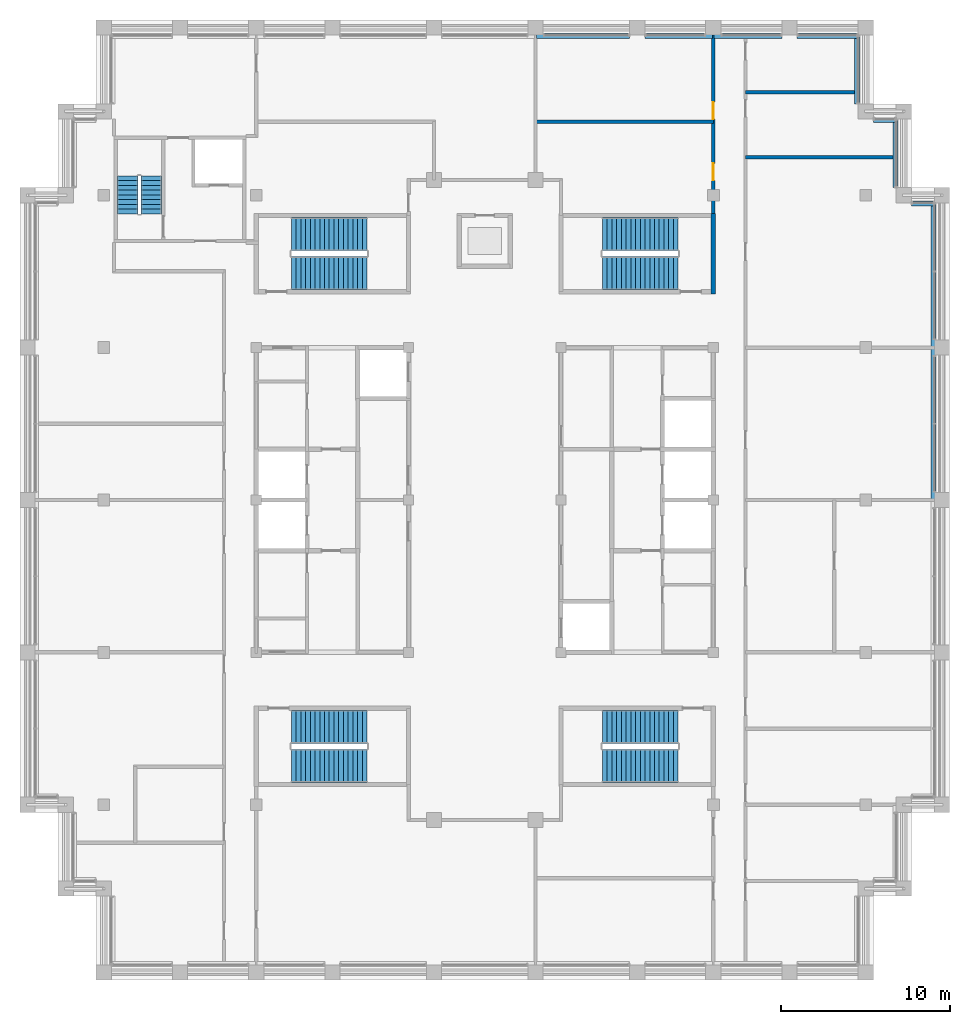
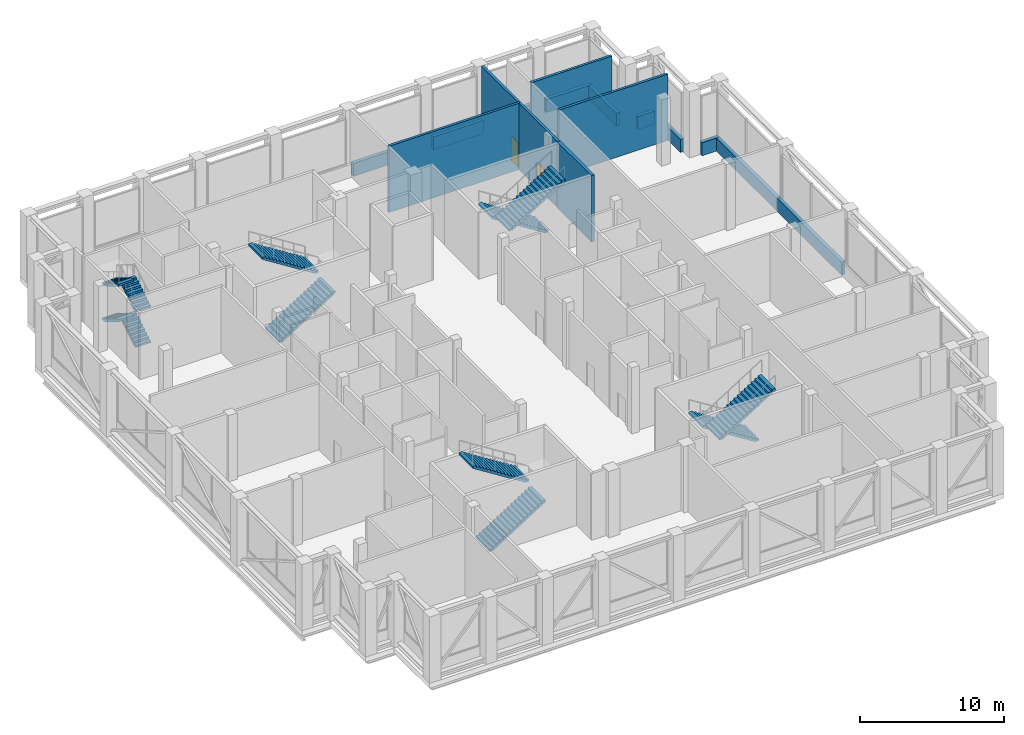
# One storey, part 15 of 17: 15 walls, 12 stair flights, 2 doors, 2 openings, 5 elements without a shape of their own.
"""IFC4 building model written with IfcOpenShell, lengths in metres."""

from ifc_helpers import new_model, si_unit, direction, frame, frame_2d, origin, place, context, subcontext, project, spatial, polyline, rectangle, outline, extrude, material, layer, layer_set, type_object, element, fill, aggregate, save


model = new_model("IFC4")

# Units and contexts
model_context = context("Model", 3, precision=1e-05, world=origin(), true_north=direction((0.0, 1.0)))
body_context = subcontext(model_context, "Body", "Model", "MODEL_VIEW")
ifc_project = project(units=[si_unit("LENGTHUNIT", "METRE"), si_unit("AREAUNIT", "SQUARE_METRE"), si_unit("VOLUMEUNIT", "CUBIC_METRE"), si_unit("PLANEANGLEUNIT", "RADIAN"), si_unit("MASSUNIT", "GRAM", prefix="KILO")], contexts=[model_context])

# Site, building, storey
site_placement = place(None, origin())
site = spatial("IfcSite", under=ifc_project, at=site_placement, CompositionType="ELEMENT")
building_placement = place(site_placement, origin())
building = spatial("IfcBuilding", under=site, at=building_placement, Name="Corbelhall Arena Tower", CompositionType="ELEMENT")
storey_placement = place(building_placement, frame((0.0, 0.0, 350.0)))
storey = spatial("IfcBuildingStorey", under=building, at=storey_placement, Name="L77", CompositionType="ELEMENT", Elevation=350.0)

# Walls
ifc_material_1 = material(Name="Precast concrete C40/50 with granite facing", Category="masonry")
ifc_layer_1 = layer(ifc_material_1, 0.300048828125)
ifc_layer_set_1 = layer_set([ifc_layer_1], Name="EV-IW1 Infill panel 300")
wall_type_1 = type_object("IfcWallType", Name="EV-IW1 Infill panel 300", PredefinedType="SOLIDWALL", material=ifc_layer_set_1)
wall_1_placement = place(storey_placement, frame((26.5, 0.050048828125, 0.0), z_axis=(0.0, 0.0, 1.0), x_axis=(0.0, 1.0, 0.0)))
element("IfcWall", 1, at=wall_1_placement, inside=storey, type_object=wall_type_1, Name="Infill panel IW1", PredefinedType="SOLIDWALL", context=body_context, shape_type="SweptSolid", body=[
    extrude(rectangle(XDim=8.89990234375, YDim=0.300048828125, at=frame_2d((4.449951171875, 0.0))), origin(), (0.0, 0.0, 1.0), 1.10009765625),
])
wall_2_placement = place(storey_placement, frame((26.5, 9.050048828125, 0.0), z_axis=(0.0, 0.0, 1.0), x_axis=(0.0, 1.0, 0.0)))
element("IfcWall", 2, at=wall_2_placement, inside=storey, type_object=wall_type_1, Name="Infill panel IW1", PredefinedType="SOLIDWALL", context=body_context, shape_type="SweptSolid", body=[
    extrude(rectangle(XDim=8.5, YDim=0.300048828125, at=frame_2d((4.25, 0.0))), origin(), (0.0, 0.0, 1.0), 1.10009765625),
])
wall_3_placement = place(storey_placement, frame((26.550048828125, 17.5, 0.0), z_axis=(0.0, 0.0, 1.0), x_axis=(-1.0, 0.0, 0.0)))
element("IfcWall", 3, at=wall_3_placement, inside=storey, type_object=wall_type_1, Name="Infill panel IW1", PredefinedType="SOLIDWALL", context=body_context, shape_type="SweptSolid", body=[
    extrude(rectangle(XDim=1.35009765625, YDim=0.300048828125, at=frame_2d((0.675048828125, 0.0))), origin(), (0.0, 0.0, 1.0), 1.10009765625),
])
wall_4_placement = place(storey_placement, frame((24.25, 18.449951171875, 0.0), z_axis=(0.0, 0.0, 1.0), x_axis=(0.0, 1.0, 0.0)))
element("IfcWall", 4, at=wall_4_placement, inside=storey, type_object=wall_type_1, Name="Infill panel IW1", PredefinedType="SOLIDWALL", context=body_context, shape_type="SweptSolid", body=[
    extrude(rectangle(XDim=4.050048828125, YDim=0.300048828125, at=frame_2d((2.02490234375, 0.0))), origin(), (0.0, 0.0, 1.0), 1.10009765625),
])
wall_5_placement = place(storey_placement, frame((24.300048828125, 22.449951171875, 0.0), z_axis=(0.0, 0.0, 1.0), x_axis=(-1.0, 0.0, 0.0)))
element("IfcWall", 5, at=wall_5_placement, inside=storey, type_object=wall_type_1, Name="Infill panel IW1", PredefinedType="SOLIDWALL", context=body_context, shape_type="SweptSolid", body=[
    extrude(rectangle(XDim=1.35009765625, YDim=0.300048828125, at=frame_2d((0.675048828125, 0.0))), origin(), (0.0, 0.0, 1.0), 1.10009765625),
])
wall_6_placement = place(storey_placement, frame((22.0, 23.39990234375, 0.0), z_axis=(0.0, 0.0, 1.0), x_axis=(0.0, 1.0, 0.0)))
element("IfcWall", 6, at=wall_6_placement, inside=storey, type_object=wall_type_1, Name="Infill panel IW1", PredefinedType="SOLIDWALL", context=body_context, shape_type="SweptSolid", body=[
    extrude(rectangle(XDim=4.050048828125, YDim=0.300048828125, at=frame_2d((2.02490234375, 0.0))), origin(), (0.0, 0.0, 1.0), 1.10009765625),
])
wall_7_placement = place(storey_placement, frame((22.050048828125, 27.39990234375, 0.0), z_axis=(0.0, 0.0, 1.0), x_axis=(-1.0, 0.0, 0.0)))
element("IfcWall", 7, at=wall_7_placement, inside=storey, type_object=wall_type_1, Name="Infill panel IW1", PredefinedType="SOLIDWALL", context=body_context, shape_type="SweptSolid", body=[
    extrude(rectangle(XDim=3.60009765625, YDim=0.300048828125, at=frame_2d((1.800048828125, 0.0))), origin(), (0.0, 0.0, 1.0), 1.10009765625),
])
for number, where, z_axis, x_axis, name in (
    (8, (17.550048828125, 27.39990234375, 0.0), (0.0, 0.0, 1.0), (-1.0, 0.0, 0.0), "Infill panel IW1"),
    (9, (13.449951171875, 27.39990234375, 0.0), (0.0, 0.0, 1.0), (-1.0, 0.0, 0.0), "Infill panel IW1"),
):
    element("IfcWall", number, at=place(storey_placement, frame(where, z_axis=z_axis, x_axis=x_axis)), inside=storey, type_object=wall_type_1, Name=name, PredefinedType="SOLIDWALL", context=body_context, shape_type="SweptSolid", body=[
        extrude(rectangle(XDim=4.0, YDim=0.300048828125, at=frame_2d((2.0, 0.0))), origin(), (0.0, 0.0, 1.0), 1.10009765625),
    ])
wall_8_placement = place(storey_placement, frame((8.550048828125, 27.39990234375, 0.0), z_axis=(0.0, 0.0, 1.0), x_axis=(-1.0, 0.0, 0.0)))
element("IfcWall", 10, at=wall_8_placement, inside=storey, type_object=wall_type_1, Name="Infill panel IW1", PredefinedType="SOLIDWALL", context=body_context, shape_type="SweptSolid", body=[
    extrude(rectangle(XDim=5.5, YDim=0.300048828125, at=frame_2d((2.75, 0.0))), origin(), (0.0, 0.0, 1.0), 1.10009765625),
])
ifc_material_2 = material(Name="Gypsum board on steel stud, acoustic", Category="steel")
ifc_layer_2 = layer(ifc_material_2, 0.199951171875)
ifc_layer_set_2 = layer_set([ifc_layer_2], Name="IN-W-DM200")
wall_type_2 = type_object("IfcWallType", Name="IN-W-DM200", PredefinedType="PARTITIONING", material=ifc_layer_set_2)
wall_9_placement = place(storey_placement, frame((3.0, 22.35009765625, 0.0), z_axis=(0.0, 0.0, 1.0), x_axis=(1.0, 0.0, 0.0)))
element("IfcWall", 11, at=wall_9_placement, inside=storey, type_object=wall_type_2, Name="Partition 023", PredefinedType="PARTITIONING", context=body_context, shape_type="SweptSolid", body=[
    extrude(rectangle(XDim=10.5, YDim=0.199951171875, at=frame_2d((5.25, 0.0))), origin(), (0.0, 0.0, 1.0), 5.599609375),
])

# Wall, openings, doors
wall_10_placement = place(storey_placement, frame((13.5, 16.675048828125, 0.0), z_axis=(0.0, 0.0, 1.0), x_axis=(0.0, 1.0, 0.0)))
wall_10 = element("IfcWall", 12, at=wall_10_placement, inside=storey, type_object=wall_type_2, Name="Partition 028", PredefinedType="PARTITIONING", context=body_context, shape_type="SweptSolid", body=[
    extrude(rectangle(XDim=10.77490234375, YDim=0.199951171875, at=frame_2d((5.387451171875, 0.0))), origin(), (0.0, 0.0, 1.0), 5.599609375),
])
opening_1_placement = place(wall_10_placement, frame((2.199951171875, 0.0, 0.0)))
opening_1 = element("IfcOpeningElement", 13, at=opening_1_placement, cuts=wall_10, Name="Opening 31021", PredefinedType="OPENING", context=body_context, shape_type="SweptSolid", body=[
    extrude(rectangle(XDim=1.0, YDim=2.10009765625, at=frame_2d((0.5, 1.050048828125))), frame((0.0, 0.10009765625, 0.0), z_axis=(0.0, -1.0, 0.0), x_axis=(1.0, 0.0, 0.0)), (0.0, 0.0, 1.0), 0.199951171875),
])
opening_2_placement = place(wall_10_placement, frame((5.824951171875, 0.0, 0.0)))
opening_2 = element("IfcOpeningElement", 14, at=opening_2_placement, cuts=wall_10, Name="Opening 31022", PredefinedType="OPENING", context=body_context, shape_type="SweptSolid", body=[
    extrude(rectangle(XDim=1.0, YDim=2.10009765625, at=frame_2d((0.5, 1.050048828125))), frame((0.0, 0.10009765625, 0.0), z_axis=(0.0, -1.0, 0.0), x_axis=(1.0, 0.0, 0.0)), (0.0, 0.0, 1.0), 0.199951171875),
])
ifc_material_3 = material(Name="Steel door set", Category="steel")
door_type = type_object("IfcDoorType", Name="IN-D-SW100", OperationType="NOTDEFINED", PredefinedType="DOOR", material=ifc_material_3)
door_1_placement = place(opening_1_placement, origin())
door_1 = element("IfcDoor", 15, at=door_1_placement, inside=storey, type_object=door_type, Name="Door 021", OperationType="SINGLE_SWING_RIGHT", OverallHeight=2.10009765625, OverallWidth=1.0, PredefinedType="DOOR", context=body_context, shape_type="SweptSolid", body=[
    extrude(rectangle(XDim=1.0, YDim=2.10009765625, at=frame_2d((0.5, 1.050048828125))), frame((0.0, 0.02490234375, 0.0), z_axis=(0.0, -1.0, 0.0), x_axis=(1.0, 0.0, 0.0)), (0.0, 0.0, 1.0), 0.050048828125),
])
fill(opening_1, door_1)
door_2_placement = place(opening_2_placement, origin())
door_2 = element("IfcDoor", 16, at=door_2_placement, inside=storey, type_object=door_type, Name="Door 022", OperationType="SINGLE_SWING_LEFT", OverallHeight=2.10009765625, OverallWidth=1.0, PredefinedType="DOOR", context=body_context, shape_type="SweptSolid", body=[
    extrude(rectangle(XDim=1.0, YDim=2.10009765625, at=frame_2d((0.5, 1.050048828125))), frame((0.0, 0.02490234375, 0.0), z_axis=(0.0, -1.0, 0.0), x_axis=(1.0, 0.0, 0.0)), (0.0, 0.0, 1.0), 0.050048828125),
])
fill(opening_2, door_2)

# Walls
wall_11_placement = place(storey_placement, frame((15.39990234375, 20.25, 0.0), z_axis=(0.0, 0.0, 1.0), x_axis=(1.0, 0.0, 0.0)))
element("IfcWall", 17, at=wall_11_placement, inside=storey, type_object=wall_type_2, Name="Partition 035", PredefinedType="PARTITIONING", context=body_context, shape_type="SweptSolid", body=[
    extrude(rectangle(XDim=8.7001953125, YDim=0.199951171875, at=frame_2d((4.35009765625, 0.0))), origin(), (0.0, 0.0, 1.0), 5.599609375),
])
wall_12_placement = place(storey_placement, frame((15.39990234375, 24.074951171875, 0.0), z_axis=(0.0, 0.0, 1.0), x_axis=(1.0, 0.0, 0.0)))
element("IfcWall", 18, at=wall_12_placement, inside=storey, type_object=wall_type_2, Name="Partition 036", PredefinedType="PARTITIONING", context=body_context, shape_type="SweptSolid", body=[
    extrude(rectangle(XDim=6.4501953125, YDim=0.199951171875, at=frame_2d((3.22509765625, 0.0))), origin(), (0.0, 0.0, 1.0), 5.599609375),
])
ifc_material_4 = material(Name="Concrete C40/50", Category="concrete")
ifc_layer_3 = layer(ifc_material_4, 0.25)
ifc_layer_set_3 = layer_set([ifc_layer_3], Name="IN-W-ST250")
wall_type_3 = type_object("IfcWallType", Name="IN-W-ST250", PredefinedType="SOLIDWALL", material=ifc_layer_set_3)
wall_13_placement = place(storey_placement, frame((13.5, 12.175048828125, 0.0), z_axis=(0.0, 0.0, 1.0), x_axis=(0.0, 1.0, 0.0)))
element("IfcWall", 19, at=wall_13_placement, inside=storey, type_object=wall_type_3, Name="Shaft wall 099", PredefinedType="SOLIDWALL", context=body_context, shape_type="SweptSolid", body=[
    extrude(rectangle(XDim=4.75, YDim=0.25, at=frame_2d((2.375, 0.0))), origin(), (0.0, 0.0, 1.0), 5.599609375),
])

# Stair, stair flights
stair_type = type_object("IfcStairType", Name="IN-ST-TOWER", PredefinedType="HALF_TURN_STAIR", material=ifc_material_4)
stair_1_placement = place(storey_placement, origin())
stair_1 = element("IfcStair", 20, at=stair_1_placement, inside=storey, type_object=stair_type, Name="L77 Exit stair ST1", PredefinedType="HALF_TURN_STAIR")
stair_flight_type = type_object("IfcStairFlightType", Name="IN-SFL-RC", PredefinedType="STRAIGHT", material=ifc_material_4)
stair_flight_1_placement = place(storey_placement, frame((-11.425048828125, 13.39990234375, 0.0), z_axis=(0.0, 0.0, 1.0), x_axis=(1.0, 0.0, 0.0)))
stair_flight_1 = element("IfcStairFlight", 21, at=stair_flight_1_placement, type_object=stair_flight_type, Name="ST1 flight 1", NumberOfRisers=17, NumberOfTreads=16, PredefinedType="STRAIGHT", RiserHeight=0.176470588, TreadLength=0.28, context=body_context, shape_type="SweptSolid", body=[
    extrude(outline(polyline([(0.0, 0.0), (0.0, 0.176513671875), (0.280029296875, 0.176513671875), (0.280029296875, 0.35302734375), (0.56005859375, 0.35302734375), (0.56005859375, 0.529296875), (0.840087890625, 0.529296875), (0.840087890625, 0.705810546875), (1.1201171875, 0.705810546875), (1.1201171875, 0.88232421875), (1.39990234375, 0.88232421875), (1.39990234375, 1.058837890625), (1.679931640625, 1.058837890625), (1.679931640625, 1.2353515625), (1.9599609375, 1.2353515625), (1.9599609375, 1.411865234375), (2.239990234375, 1.411865234375), (2.239990234375, 1.588134765625), (2.52001953125, 1.588134765625), (2.52001953125, 1.7646484375), (2.800048828125, 1.7646484375), (2.800048828125, 1.941162109375), (3.080078125, 1.941162109375), (3.080078125, 2.11767578125), (3.360107421875, 2.11767578125), (3.360107421875, 2.294189453125), (3.639892578125, 2.294189453125), (3.639892578125, 2.470703125), (3.919921875, 2.470703125), (3.919921875, 2.64697265625), (4.199951171875, 2.64697265625), (4.199951171875, 2.823486328125), (4.47998046875, 2.823486328125), (4.47998046875, 3.0), (4.47998046875, 2.646240234375), (0.28125, 0.0), (0.0, 0.0)])), frame((0.0, 0.97509765625, 0.0), z_axis=(0.0, -1.0, 0.0), x_axis=(1.0, 0.0, 0.0)), (0.0, 0.0, 1.0), 1.949951171875),
])
stair_flight_2_placement = place(storey_placement, frame((-6.945068359375, 15.699951171875, 3.0), z_axis=(0.0, 0.0, 1.0), x_axis=(-1.0, 0.0, 0.0)))
stair_flight_2 = element("IfcStairFlight", 22, at=stair_flight_2_placement, type_object=stair_flight_type, Name="ST1 flight 2", NumberOfRisers=17, NumberOfTreads=16, PredefinedType="STRAIGHT", RiserHeight=0.176470588, TreadLength=0.28, context=body_context, shape_type="SweptSolid", body=[
    extrude(outline(polyline([(0.0, 0.0), (0.0, 0.176513671875), (0.280029296875, 0.176513671875), (0.280029296875, 0.35302734375), (0.56005859375, 0.35302734375), (0.56005859375, 0.529296875), (0.840087890625, 0.529296875), (0.840087890625, 0.705810546875), (1.1201171875, 0.705810546875), (1.1201171875, 0.88232421875), (1.39990234375, 0.88232421875), (1.39990234375, 1.058837890625), (1.679931640625, 1.058837890625), (1.679931640625, 1.2353515625), (1.9599609375, 1.2353515625), (1.9599609375, 1.411865234375), (2.239990234375, 1.411865234375), (2.239990234375, 1.588134765625), (2.52001953125, 1.588134765625), (2.52001953125, 1.7646484375), (2.800048828125, 1.7646484375), (2.800048828125, 1.941162109375), (3.080078125, 1.941162109375), (3.080078125, 2.11767578125), (3.360107421875, 2.11767578125), (3.360107421875, 2.294189453125), (3.639892578125, 2.294189453125), (3.639892578125, 2.470703125), (3.919921875, 2.470703125), (3.919921875, 2.64697265625), (4.199951171875, 2.64697265625), (4.199951171875, 2.823486328125), (4.47998046875, 2.823486328125), (4.47998046875, 3.0), (4.47998046875, 2.646240234375), (0.28125, 0.0), (0.0, 0.0)])), frame((0.0, 0.97509765625, 0.0), z_axis=(0.0, -1.0, 0.0), x_axis=(1.0, 0.0, 0.0)), (0.0, 0.0, 1.0), 1.949951171875),
])
aggregate(stair_1, [stair_flight_1, stair_flight_2])

stair_2_placement = place(storey_placement, origin())
stair_2 = element("IfcStair", 23, at=stair_2_placement, inside=storey, type_object=stair_type, Name="L77 Exit stair ST2", PredefinedType="HALF_TURN_STAIR")
stair_flight_3_placement = place(storey_placement, frame((-11.425048828125, -15.699951171875, 0.0), z_axis=(0.0, 0.0, 1.0), x_axis=(1.0, 0.0, 0.0)))
stair_flight_3 = element("IfcStairFlight", 24, at=stair_flight_3_placement, type_object=stair_flight_type, Name="ST2 flight 1", NumberOfRisers=17, NumberOfTreads=16, PredefinedType="STRAIGHT", RiserHeight=0.176470588, TreadLength=0.28, context=body_context, shape_type="SweptSolid", body=[
    extrude(outline(polyline([(0.0, 0.0), (0.0, 0.176513671875), (0.280029296875, 0.176513671875), (0.280029296875, 0.35302734375), (0.56005859375, 0.35302734375), (0.56005859375, 0.529296875), (0.840087890625, 0.529296875), (0.840087890625, 0.705810546875), (1.1201171875, 0.705810546875), (1.1201171875, 0.88232421875), (1.39990234375, 0.88232421875), (1.39990234375, 1.058837890625), (1.679931640625, 1.058837890625), (1.679931640625, 1.2353515625), (1.9599609375, 1.2353515625), (1.9599609375, 1.411865234375), (2.239990234375, 1.411865234375), (2.239990234375, 1.588134765625), (2.52001953125, 1.588134765625), (2.52001953125, 1.7646484375), (2.800048828125, 1.7646484375), (2.800048828125, 1.941162109375), (3.080078125, 1.941162109375), (3.080078125, 2.11767578125), (3.360107421875, 2.11767578125), (3.360107421875, 2.294189453125), (3.639892578125, 2.294189453125), (3.639892578125, 2.470703125), (3.919921875, 2.470703125), (3.919921875, 2.64697265625), (4.199951171875, 2.64697265625), (4.199951171875, 2.823486328125), (4.47998046875, 2.823486328125), (4.47998046875, 3.0), (4.47998046875, 2.646240234375), (0.28125, 0.0), (0.0, 0.0)])), frame((0.0, 0.97509765625, 0.0), z_axis=(0.0, -1.0, 0.0), x_axis=(1.0, 0.0, 0.0)), (0.0, 0.0, 1.0), 1.949951171875),
])
stair_flight_4_placement = place(storey_placement, frame((-6.945068359375, -13.39990234375, 3.0), z_axis=(0.0, 0.0, 1.0), x_axis=(-1.0, 0.0, 0.0)))
stair_flight_4 = element("IfcStairFlight", 25, at=stair_flight_4_placement, type_object=stair_flight_type, Name="ST2 flight 2", NumberOfRisers=17, NumberOfTreads=16, PredefinedType="STRAIGHT", RiserHeight=0.176470588, TreadLength=0.28, context=body_context, shape_type="SweptSolid", body=[
    extrude(outline(polyline([(0.0, 0.0), (0.0, 0.176513671875), (0.280029296875, 0.176513671875), (0.280029296875, 0.35302734375), (0.56005859375, 0.35302734375), (0.56005859375, 0.529296875), (0.840087890625, 0.529296875), (0.840087890625, 0.705810546875), (1.1201171875, 0.705810546875), (1.1201171875, 0.88232421875), (1.39990234375, 0.88232421875), (1.39990234375, 1.058837890625), (1.679931640625, 1.058837890625), (1.679931640625, 1.2353515625), (1.9599609375, 1.2353515625), (1.9599609375, 1.411865234375), (2.239990234375, 1.411865234375), (2.239990234375, 1.588134765625), (2.52001953125, 1.588134765625), (2.52001953125, 1.7646484375), (2.800048828125, 1.7646484375), (2.800048828125, 1.941162109375), (3.080078125, 1.941162109375), (3.080078125, 2.11767578125), (3.360107421875, 2.11767578125), (3.360107421875, 2.294189453125), (3.639892578125, 2.294189453125), (3.639892578125, 2.470703125), (3.919921875, 2.470703125), (3.919921875, 2.64697265625), (4.199951171875, 2.64697265625), (4.199951171875, 2.823486328125), (4.47998046875, 2.823486328125), (4.47998046875, 3.0), (4.47998046875, 2.646240234375), (0.28125, 0.0), (0.0, 0.0)])), frame((0.0, 0.97509765625, 0.0), z_axis=(0.0, -1.0, 0.0), x_axis=(1.0, 0.0, 0.0)), (0.0, 0.0, 1.0), 1.949951171875),
])
aggregate(stair_2, [stair_flight_3, stair_flight_4])

stair_3_placement = place(storey_placement, origin())
stair_3 = element("IfcStair", 26, at=stair_3_placement, inside=storey, type_object=stair_type, Name="L77 Exit stair ST3", PredefinedType="HALF_TURN_STAIR")
stair_flight_5_placement = place(storey_placement, frame((11.425048828125, 15.699951171875, 0.0), z_axis=(0.0, 0.0, 1.0), x_axis=(-1.0, 0.0, 0.0)))
stair_flight_5 = element("IfcStairFlight", 27, at=stair_flight_5_placement, type_object=stair_flight_type, Name="ST3 flight 1", NumberOfRisers=17, NumberOfTreads=16, PredefinedType="STRAIGHT", RiserHeight=0.176470588, TreadLength=0.28, context=body_context, shape_type="SweptSolid", body=[
    extrude(outline(polyline([(0.0, 0.0), (0.0, 0.176513671875), (0.280029296875, 0.176513671875), (0.280029296875, 0.35302734375), (0.56005859375, 0.35302734375), (0.56005859375, 0.529296875), (0.840087890625, 0.529296875), (0.840087890625, 0.705810546875), (1.1201171875, 0.705810546875), (1.1201171875, 0.88232421875), (1.39990234375, 0.88232421875), (1.39990234375, 1.058837890625), (1.679931640625, 1.058837890625), (1.679931640625, 1.2353515625), (1.9599609375, 1.2353515625), (1.9599609375, 1.411865234375), (2.239990234375, 1.411865234375), (2.239990234375, 1.588134765625), (2.52001953125, 1.588134765625), (2.52001953125, 1.7646484375), (2.800048828125, 1.7646484375), (2.800048828125, 1.941162109375), (3.080078125, 1.941162109375), (3.080078125, 2.11767578125), (3.360107421875, 2.11767578125), (3.360107421875, 2.294189453125), (3.639892578125, 2.294189453125), (3.639892578125, 2.470703125), (3.919921875, 2.470703125), (3.919921875, 2.64697265625), (4.199951171875, 2.64697265625), (4.199951171875, 2.823486328125), (4.47998046875, 2.823486328125), (4.47998046875, 3.0), (4.47998046875, 2.646240234375), (0.28125, 0.0), (0.0, 0.0)])), frame((0.0, 0.97509765625, 0.0), z_axis=(0.0, -1.0, 0.0), x_axis=(1.0, 0.0, 0.0)), (0.0, 0.0, 1.0), 1.949951171875),
])
stair_flight_6_placement = place(storey_placement, frame((6.945068359375, 13.39990234375, 3.0), z_axis=(0.0, 0.0, 1.0), x_axis=(1.0, 0.0, 0.0)))
stair_flight_6 = element("IfcStairFlight", 28, at=stair_flight_6_placement, type_object=stair_flight_type, Name="ST3 flight 2", NumberOfRisers=17, NumberOfTreads=16, PredefinedType="STRAIGHT", RiserHeight=0.176470588, TreadLength=0.28, context=body_context, shape_type="SweptSolid", body=[
    extrude(outline(polyline([(0.0, 0.0), (0.0, 0.176513671875), (0.280029296875, 0.176513671875), (0.280029296875, 0.35302734375), (0.56005859375, 0.35302734375), (0.56005859375, 0.529296875), (0.840087890625, 0.529296875), (0.840087890625, 0.705810546875), (1.1201171875, 0.705810546875), (1.1201171875, 0.88232421875), (1.39990234375, 0.88232421875), (1.39990234375, 1.058837890625), (1.679931640625, 1.058837890625), (1.679931640625, 1.2353515625), (1.9599609375, 1.2353515625), (1.9599609375, 1.411865234375), (2.239990234375, 1.411865234375), (2.239990234375, 1.588134765625), (2.52001953125, 1.588134765625), (2.52001953125, 1.7646484375), (2.800048828125, 1.7646484375), (2.800048828125, 1.941162109375), (3.080078125, 1.941162109375), (3.080078125, 2.11767578125), (3.360107421875, 2.11767578125), (3.360107421875, 2.294189453125), (3.639892578125, 2.294189453125), (3.639892578125, 2.470703125), (3.919921875, 2.470703125), (3.919921875, 2.64697265625), (4.199951171875, 2.64697265625), (4.199951171875, 2.823486328125), (4.47998046875, 2.823486328125), (4.47998046875, 3.0), (4.47998046875, 2.646240234375), (0.28125, 0.0), (0.0, 0.0)])), frame((0.0, 0.97509765625, 0.0), z_axis=(0.0, -1.0, 0.0), x_axis=(1.0, 0.0, 0.0)), (0.0, 0.0, 1.0), 1.949951171875),
])
aggregate(stair_3, [stair_flight_5, stair_flight_6])

stair_4_placement = place(storey_placement, origin())
stair_4 = element("IfcStair", 29, at=stair_4_placement, inside=storey, type_object=stair_type, Name="L77 Exit stair ST4", PredefinedType="HALF_TURN_STAIR")
stair_flight_7_placement = place(storey_placement, frame((11.425048828125, -13.39990234375, 0.0), z_axis=(0.0, 0.0, 1.0), x_axis=(-1.0, 0.0, 0.0)))
stair_flight_7 = element("IfcStairFlight", 30, at=stair_flight_7_placement, type_object=stair_flight_type, Name="ST4 flight 1", NumberOfRisers=17, NumberOfTreads=16, PredefinedType="STRAIGHT", RiserHeight=0.176470588, TreadLength=0.28, context=body_context, shape_type="SweptSolid", body=[
    extrude(outline(polyline([(0.0, 0.0), (0.0, 0.176513671875), (0.280029296875, 0.176513671875), (0.280029296875, 0.35302734375), (0.56005859375, 0.35302734375), (0.56005859375, 0.529296875), (0.840087890625, 0.529296875), (0.840087890625, 0.705810546875), (1.1201171875, 0.705810546875), (1.1201171875, 0.88232421875), (1.39990234375, 0.88232421875), (1.39990234375, 1.058837890625), (1.679931640625, 1.058837890625), (1.679931640625, 1.2353515625), (1.9599609375, 1.2353515625), (1.9599609375, 1.411865234375), (2.239990234375, 1.411865234375), (2.239990234375, 1.588134765625), (2.52001953125, 1.588134765625), (2.52001953125, 1.7646484375), (2.800048828125, 1.7646484375), (2.800048828125, 1.941162109375), (3.080078125, 1.941162109375), (3.080078125, 2.11767578125), (3.360107421875, 2.11767578125), (3.360107421875, 2.294189453125), (3.639892578125, 2.294189453125), (3.639892578125, 2.470703125), (3.919921875, 2.470703125), (3.919921875, 2.64697265625), (4.199951171875, 2.64697265625), (4.199951171875, 2.823486328125), (4.47998046875, 2.823486328125), (4.47998046875, 3.0), (4.47998046875, 2.646240234375), (0.28125, 0.0), (0.0, 0.0)])), frame((0.0, 0.97509765625, 0.0), z_axis=(0.0, -1.0, 0.0), x_axis=(1.0, 0.0, 0.0)), (0.0, 0.0, 1.0), 1.949951171875),
])
stair_flight_8_placement = place(storey_placement, frame((6.945068359375, -15.699951171875, 3.0), z_axis=(0.0, 0.0, 1.0), x_axis=(1.0, 0.0, 0.0)))
stair_flight_8 = element("IfcStairFlight", 31, at=stair_flight_8_placement, type_object=stair_flight_type, Name="ST4 flight 2", NumberOfRisers=17, NumberOfTreads=16, PredefinedType="STRAIGHT", RiserHeight=0.176470588, TreadLength=0.28, context=body_context, shape_type="SweptSolid", body=[
    extrude(outline(polyline([(0.0, 0.0), (0.0, 0.176513671875), (0.280029296875, 0.176513671875), (0.280029296875, 0.35302734375), (0.56005859375, 0.35302734375), (0.56005859375, 0.529296875), (0.840087890625, 0.529296875), (0.840087890625, 0.705810546875), (1.1201171875, 0.705810546875), (1.1201171875, 0.88232421875), (1.39990234375, 0.88232421875), (1.39990234375, 1.058837890625), (1.679931640625, 1.058837890625), (1.679931640625, 1.2353515625), (1.9599609375, 1.2353515625), (1.9599609375, 1.411865234375), (2.239990234375, 1.411865234375), (2.239990234375, 1.588134765625), (2.52001953125, 1.588134765625), (2.52001953125, 1.7646484375), (2.800048828125, 1.7646484375), (2.800048828125, 1.941162109375), (3.080078125, 1.941162109375), (3.080078125, 2.11767578125), (3.360107421875, 2.11767578125), (3.360107421875, 2.294189453125), (3.639892578125, 2.294189453125), (3.639892578125, 2.470703125), (3.919921875, 2.470703125), (3.919921875, 2.64697265625), (4.199951171875, 2.64697265625), (4.199951171875, 2.823486328125), (4.47998046875, 2.823486328125), (4.47998046875, 3.0), (4.47998046875, 2.646240234375), (0.28125, 0.0), (0.0, 0.0)])), frame((0.0, 0.97509765625, 0.0), z_axis=(0.0, -1.0, 0.0), x_axis=(1.0, 0.0, 0.0)), (0.0, 0.0, 1.0), 1.949951171875),
])
aggregate(stair_4, [stair_flight_7, stair_flight_8])

stair_5_placement = place(storey_placement, origin())
stair_5 = element("IfcStair", 32, at=stair_5_placement, inside=storey, type_object=stair_type, Name="L77 Exit stair ST5", PredefinedType="HALF_TURN_STAIR")
stair_flight_9_placement = place(storey_placement, frame((-19.695068359375, 16.89990234375, 0.0), z_axis=(0.0, 0.0, 1.0), x_axis=(0.0, 1.0, 0.0)))
stair_flight_9 = element("IfcStairFlight", 33, at=stair_flight_9_placement, type_object=stair_flight_type, Name="ST5 flight 1", NumberOfRisers=9, NumberOfTreads=8, PredefinedType="STRAIGHT", RiserHeight=0.166666667, TreadLength=0.28, context=body_context, shape_type="SweptSolid", body=[
    extrude(outline(polyline([(0.0, 0.0), (0.0, 0.166748046875), (0.280029296875, 0.166748046875), (0.280029296875, 0.333251953125), (0.56005859375, 0.333251953125), (0.56005859375, 0.5), (0.840087890625, 0.5), (0.840087890625, 0.666748046875), (1.1201171875, 0.666748046875), (1.1201171875, 0.833251953125), (1.39990234375, 0.833251953125), (1.39990234375, 1.0), (1.679931640625, 1.0), (1.679931640625, 1.166748046875), (1.9599609375, 1.166748046875), (1.9599609375, 1.333251953125), (2.239990234375, 1.333251953125), (2.239990234375, 1.5), (2.239990234375, 1.158935546875), (0.29296875, 0.0), (0.0, 0.0)])), frame((0.0, 0.60009765625, 0.0), z_axis=(0.0, -1.0, 0.0), x_axis=(1.0, 0.0, 0.0)), (0.0, 0.0, 1.0), 1.199951171875),
])
stair_flight_10_placement = place(storey_placement, frame((-21.094970703125, 19.139892578125, 1.5), z_axis=(0.0, 0.0, 1.0), x_axis=(0.0, -1.0, 0.0)))
stair_flight_10 = element("IfcStairFlight", 34, at=stair_flight_10_placement, type_object=stair_flight_type, Name="ST5 flight 2", NumberOfRisers=9, NumberOfTreads=8, PredefinedType="STRAIGHT", RiserHeight=0.166666667, TreadLength=0.28, context=body_context, shape_type="SweptSolid", body=[
    extrude(outline(polyline([(0.0, 0.0), (0.0, 0.166748046875), (0.280029296875, 0.166748046875), (0.280029296875, 0.333251953125), (0.56005859375, 0.333251953125), (0.56005859375, 0.5), (0.840087890625, 0.5), (0.840087890625, 0.666748046875), (1.1201171875, 0.666748046875), (1.1201171875, 0.833251953125), (1.39990234375, 0.833251953125), (1.39990234375, 1.0), (1.679931640625, 1.0), (1.679931640625, 1.166748046875), (1.9599609375, 1.166748046875), (1.9599609375, 1.333251953125), (2.239990234375, 1.333251953125), (2.239990234375, 1.5), (2.239990234375, 1.158935546875), (0.29296875, 0.0), (0.0, 0.0)])), frame((0.0, 0.60009765625, 0.0), z_axis=(0.0, -1.0, 0.0), x_axis=(1.0, 0.0, 0.0)), (0.0, 0.0, 1.0), 1.199951171875),
])
stair_flight_11_placement = place(storey_placement, frame((-19.695068359375, 16.89990234375, 3.0), z_axis=(0.0, 0.0, 1.0), x_axis=(0.0, 1.0, 0.0)))
stair_flight_11 = element("IfcStairFlight", 35, at=stair_flight_11_placement, type_object=stair_flight_type, Name="ST5 flight 3", NumberOfRisers=9, NumberOfTreads=8, PredefinedType="STRAIGHT", RiserHeight=0.166666667, TreadLength=0.28, context=body_context, shape_type="SweptSolid", body=[
    extrude(outline(polyline([(0.0, 0.0), (0.0, 0.166748046875), (0.280029296875, 0.166748046875), (0.280029296875, 0.333251953125), (0.56005859375, 0.333251953125), (0.56005859375, 0.5), (0.840087890625, 0.5), (0.840087890625, 0.666748046875), (1.1201171875, 0.666748046875), (1.1201171875, 0.833251953125), (1.39990234375, 0.833251953125), (1.39990234375, 1.0), (1.679931640625, 1.0), (1.679931640625, 1.166748046875), (1.9599609375, 1.166748046875), (1.9599609375, 1.333251953125), (2.239990234375, 1.333251953125), (2.239990234375, 1.5), (2.239990234375, 1.158935546875), (0.29296875, 0.0), (0.0, 0.0)])), frame((0.0, 0.60009765625, 0.0), z_axis=(0.0, -1.0, 0.0), x_axis=(1.0, 0.0, 0.0)), (0.0, 0.0, 1.0), 1.199951171875),
])
stair_flight_12_placement = place(storey_placement, frame((-21.094970703125, 19.139892578125, 4.5), z_axis=(0.0, 0.0, 1.0), x_axis=(0.0, -1.0, 0.0)))
stair_flight_12 = element("IfcStairFlight", 36, at=stair_flight_12_placement, type_object=stair_flight_type, Name="ST5 flight 4", NumberOfRisers=9, NumberOfTreads=8, PredefinedType="STRAIGHT", RiserHeight=0.166666667, TreadLength=0.28, context=body_context, shape_type="SweptSolid", body=[
    extrude(outline(polyline([(0.0, 0.0), (0.0, 0.166748046875), (0.280029296875, 0.166748046875), (0.280029296875, 0.333251953125), (0.56005859375, 0.333251953125), (0.56005859375, 0.5), (0.840087890625, 0.5), (0.840087890625, 0.666748046875), (1.1201171875, 0.666748046875), (1.1201171875, 0.833251953125), (1.39990234375, 0.833251953125), (1.39990234375, 1.0), (1.679931640625, 1.0), (1.679931640625, 1.166748046875), (1.9599609375, 1.166748046875), (1.9599609375, 1.333251953125), (2.239990234375, 1.333251953125), (2.239990234375, 1.5), (2.239990234375, 1.158935546875), (0.29296875, 0.0), (0.0, 0.0)])), frame((0.0, 0.60009765625, 0.0), z_axis=(0.0, -1.0, 0.0), x_axis=(1.0, 0.0, 0.0)), (0.0, 0.0, 1.0), 1.199951171875),
])
aggregate(stair_5, [stair_flight_9, stair_flight_10, stair_flight_11, stair_flight_12])

save(model, "model.ifc")
